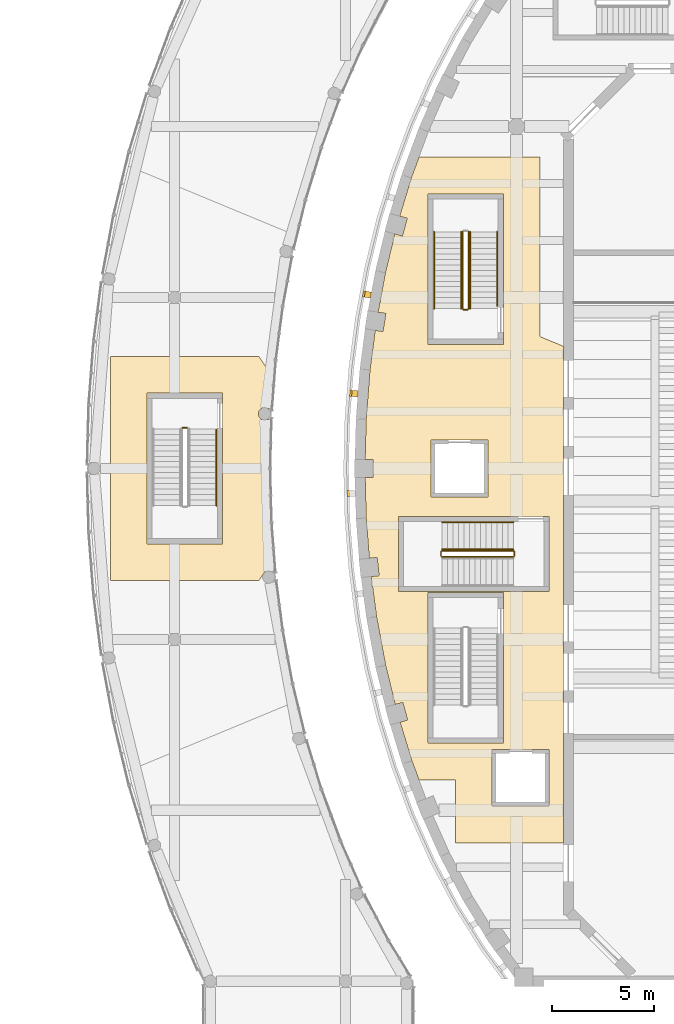
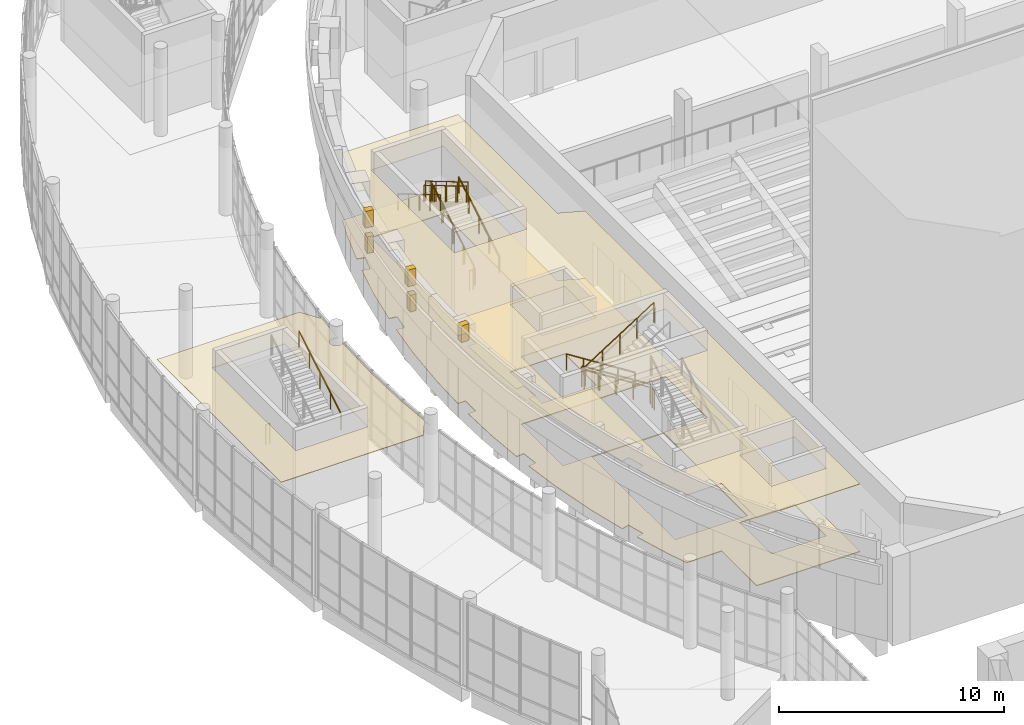
# One storey, part 100 of 119: 15 railings, 8 coverings.
"""IFC4 building model written with IfcOpenShell, lengths in metres."""

import ifcopenshell
import ifcopenshell.guid

model = None  # the IFC model being written
_history = None  # IfcOwnerHistory: only IFC2X3 demands one
_inside = {}  # id of a spatial element -> (the spatial element, [elements in it])
_under = {}  # id of a project, library or spatial element -> (it, [spatial elements below it])
_declared = {}  # id of a project -> (the project, [libraries it declares])
_typed = {}  # id of a type object -> (the type object, [elements of that type])
_made_of = {}  # id of a material, layer set ... -> (it, [elements and type objects made of it])


def new_model(schema):
    """Start an empty IFC model of exactly this schema.

    Asked for "IFC4X3", IfcOpenShell would pick the latest addendum, in which some entities
    have other attributes; the version numbers below select the first issue.
    IFC2X3 requires an IfcOwnerHistory on every rooted entity: one is made here for all.
    """
    global model, _history
    if schema == "IFC4X3":
        model = ifcopenshell.file(schema_version=(4, 3, 0, 0))
    else:
        model = ifcopenshell.file(schema=schema)
    _inside.clear()
    _under.clear()
    _declared.clear()
    _typed.clear()
    _made_of.clear()
    _history = None
    if model.schema == "IFC2X3":
        org = make("IfcOrganization", Name="unknown")
        user = make(
            "IfcPersonAndOrganization",
            ThePerson=make("IfcPerson", FamilyName="unknown"),
            TheOrganization=org,
        )
        app = make(
            "IfcApplication",
            ApplicationDeveloper=org,
            Version="unknown",
            ApplicationFullName="unknown",
            ApplicationIdentifier="unknown",
        )
        _history = make(
            "IfcOwnerHistory",
            OwningUser=user,
            OwningApplication=app,
            ChangeAction="ADDED",
            CreationDate=0,
        )
    return model


def make(cls, **values):
    """One entity of the class cls with the attributes given. An attribute that is None is left unset."""
    return model.create_entity(
        cls, **{name: value for name, value in values.items() if value is not None}
    )


def rooted(cls, **values):
    """An entity with a GlobalId (a new one), such as an element, a storey or a relation."""
    return make(cls, GlobalId=ifcopenshell.guid.new(), OwnerHistory=_history, **values)


def si_unit(unit_type, name, prefix=None):
    """IfcSIUnit, for example si_unit("LENGTHUNIT", "METRE", prefix="MILLI")."""
    return make("IfcSIUnit", UnitType=unit_type, Prefix=prefix, Name=name)


def assignment(units):
    """IfcUnitAssignment: the units of a project."""
    return None if units is None else make("IfcUnitAssignment", Units=units)


def point(xyz):
    """IfcCartesianPoint."""
    return None if xyz is None else make("IfcCartesianPoint", Coordinates=xyz)


def direction(xyz):
    """IfcDirection."""
    return None if xyz is None else make("IfcDirection", DirectionRatios=xyz)


def frame(location, z_axis=None, x_axis=None):
    """IfcAxis2Placement3D, a coordinate frame: its origin and axes. An axis left out is left unset."""
    return make(
        "IfcAxis2Placement3D",
        Location=point(location),
        Axis=direction(z_axis),
        RefDirection=direction(x_axis),
    )


def frame_2d(location, x_axis=None):
    """IfcAxis2Placement2D, a coordinate frame in the plane: its origin and x axis."""
    return make(
        "IfcAxis2Placement2D", Location=point(location), RefDirection=direction(x_axis)
    )


def origin():
    """The frame at (0, 0, 0) with its axes left unset."""
    return frame((0.0, 0.0, 0.0))


def origin_2d():
    """The frame at (0, 0) in the plane with its x axis left unset."""
    return frame_2d((0.0, 0.0))


def place(relative_to, where):
    """IfcLocalPlacement: puts the frame where relative to a parent placement (None: the world)."""
    return make(
        "IfcLocalPlacement", PlacementRelTo=relative_to, RelativePlacement=where
    )


def context(
    kind, dimensions, precision=None, world=None, true_north=None, identifier=None
):
    """IfcGeometricRepresentationContext, for example the 3D "Model" context."""
    return make(
        "IfcGeometricRepresentationContext",
        ContextIdentifier=identifier,
        ContextType=kind,
        CoordinateSpaceDimension=dimensions,
        Precision=precision,
        WorldCoordinateSystem=world,
        TrueNorth=true_north,
    )


def subcontext(parent, identifier, kind, view, scale=None):
    """IfcGeometricRepresentationSubContext, for example "Body" below "Model"."""
    return make(
        "IfcGeometricRepresentationSubContext",
        ContextIdentifier=identifier,
        ContextType=kind,
        ParentContext=parent,
        TargetScale=scale,
        TargetView=view,
    )


def project(units=None, contexts=None):
    """IfcProject with its units and contexts."""
    return rooted(
        "IfcProject",
        Name="project",
        RepresentationContexts=contexts,
        UnitsInContext=assignment(units),
    )


def spatial(cls, under=None, at=None, **own):
    """A site, building, storey or space (cls), placed at a placement, below another one or the project."""
    s = rooted(cls, ObjectPlacement=at, **own)
    if under is not None:
        _under.setdefault(under.id(), (under, []))[1].append(s)
    return s


def polyline(points):
    """IfcPolyline through the points."""
    return make("IfcPolyline", Points=[point(p) for p in points])


def profile(cls, at=None, kind="AREA", **sizes):
    """A parametric profile (cls). Its sizes go by their IFC names, for example OverallWidth=200.0."""
    return make(cls, ProfileType=kind, Position=at, **sizes)


def rectangle(**sizes):
    """IfcRectangleProfileDef."""
    return profile("IfcRectangleProfileDef", **sizes)


def circle(**sizes):
    """IfcCircleProfileDef."""
    return profile("IfcCircleProfileDef", **sizes)


def outline(outer, holes=None, kind="AREA"):
    """IfcArbitraryClosedProfileDef: a profile drawn as a closed curve; with holes, ...WithVoids."""
    if holes is None:
        return make("IfcArbitraryClosedProfileDef", ProfileType=kind, OuterCurve=outer)
    return make(
        "IfcArbitraryProfileDefWithVoids",
        ProfileType=kind,
        OuterCurve=outer,
        InnerCurves=holes,
    )


def extrude(swept, where, along, depth):
    """IfcExtrudedAreaSolid: the profile swept, set in the frame where, extruded along a direction by depth."""
    return make(
        "IfcExtrudedAreaSolid",
        SweptArea=swept,
        Position=where,
        ExtrudedDirection=direction(along),
        Depth=depth,
    )


def shape(context_of_items, identifier, shape_type, items):
    """IfcShapeRepresentation: the items that make up one representation, for example the "Body"."""
    return make(
        "IfcShapeRepresentation",
        ContextOfItems=context_of_items,
        RepresentationIdentifier=identifier,
        RepresentationType=shape_type,
        Items=items,
    )


def material(Name=None, Category=None):
    """IfcMaterial."""
    return make("IfcMaterial", Name=Name, Category=Category)


def layer(
    of_material, thickness, ventilated=None, Name=None, Category=None, Priority=None
):
    """IfcMaterialLayer: one layer of a wall or slab, of a material (None: an air gap)."""
    return make(
        "IfcMaterialLayer",
        Material=of_material,
        LayerThickness=thickness,
        IsVentilated=ventilated,
        Name=Name,
        Category=Category,
        Priority=Priority,
    )


def layer_set(layers, Name=None):
    """IfcMaterialLayerSet."""
    return make("IfcMaterialLayerSet", MaterialLayers=layers, LayerSetName=Name)


def made_of(thing, what):
    """Note that an element or type object is made of a material, layer set ...; save() writes the relation."""
    if what is not None:
        _made_of.setdefault(what.id(), (what, []))[1].append(thing)
    return thing


def type_object(cls, material=None, **own):
    """A type object (cls), such as IfcWallType, which elements share."""
    return made_of(rooted(cls, **own), material)


def element(
    cls,
    number,
    at=None,
    inside=None,
    cuts=None,
    type_object=None,
    material=None,
    context=None,
    identifier="Body",
    shape_type=None,
    held_by="IfcProductDefinitionShape",
    body=None,
    shapes=None,
    **own,
):
    """One element of the class cls, such as IfcWall. Its Tag is "e" and its number.

    at: its placement. inside: the storey or other place that contains it. cuts: it is an
    opening in that element (IfcRelVoidsElement). A single representation is given by context,
    identifier, shape_type and body (its items); several are given by shapes. held_by: the class
    of the entity that holds the representations. save() writes the other relations.
    """
    e = rooted(cls, Tag="e%d" % number, ObjectPlacement=at, **own)
    if body is not None:
        shapes = [shape(context, identifier, shape_type, body)]
    if shapes is not None:
        e.Representation = make(held_by, Representations=shapes)
    if inside is not None:
        _inside.setdefault(inside.id(), (inside, []))[1].append(e)
    if cuts is not None:
        rooted(
            "IfcRelVoidsElement", RelatingBuildingElement=cuts, RelatedOpeningElement=e
        )
    if type_object is not None:
        _typed.setdefault(type_object.id(), (type_object, []))[1].append(e)
    return made_of(e, material)


def aggregate(whole, parts):
    """IfcRelAggregates: a whole, such as a stair, and the parts it consists of."""
    return rooted("IfcRelAggregates", RelatingObject=whole, RelatedObjects=parts)


def save(model, path):
    """Write the relations noted so far, then the file.

    IfcRelAggregates (storeys below a building ...), IfcRelContainedInSpatialStructure (elements
    in a storey), IfcRelDefinesByType, IfcRelAssociatesMaterial and IfcRelDeclares: one each for
    every whole, place, type object, material and project.
    """
    for whole, parts in _under.values():
        aggregate(whole, parts)
    for where, things in _inside.values():
        rooted(
            "IfcRelContainedInSpatialStructure",
            RelatedElements=things,
            RelatingStructure=where,
        )
    for kind, things in _typed.values():
        rooted("IfcRelDefinesByType", RelatedObjects=things, RelatingType=kind)
    for what, things in _made_of.values():
        rooted("IfcRelAssociatesMaterial", RelatedObjects=things, RelatingMaterial=what)
    for by, libraries in _declared.values():
        rooted("IfcRelDeclares", RelatingContext=by, RelatedDefinitions=libraries)
    model.write(path)


model = new_model("IFC4")

# Units and contexts
model_context = context("Model", 3, precision=1e-05, world=origin(), true_north=direction((0.0, 1.0)))
body_context = subcontext(model_context, "Body", "Model", "MODEL_VIEW")
ifc_project = project(units=[si_unit("LENGTHUNIT", "METRE"), si_unit("AREAUNIT", "SQUARE_METRE"), si_unit("VOLUMEUNIT", "CUBIC_METRE"), si_unit("PLANEANGLEUNIT", "RADIAN"), si_unit("MASSUNIT", "GRAM", prefix="KILO")], contexts=[model_context])

# Site, building, storey
site_placement = place(None, origin())
site = spatial("IfcSite", under=ifc_project, at=site_placement, CompositionType="ELEMENT")
building_placement = place(site_placement, origin())
building = spatial("IfcBuilding", under=site, at=building_placement, Name="Larchfold Concert Hall", CompositionType="ELEMENT")
storey_placement = place(building_placement, frame((0.0, 0.0, 4.800048828125)))
storey = spatial("IfcBuildingStorey", under=building, at=storey_placement, Name="L01", CompositionType="ELEMENT", Elevation=4.800048828125)

# Coverings
ifc_material_1 = material(Name="Plasterboard ceiling lining")
ifc_layer_1 = layer(ifc_material_1, 0.030029296875)
ifc_layer_set_1 = layer_set([ifc_layer_1], Name="Plasterboard ceiling lining")
covering_type_1 = type_object("IfcCoveringType", Name="Ceiling suspended plasterboard 30", PredefinedType="CEILING", material=ifc_layer_set_1)
covering_1_placement = place(storey_placement, frame((0.0, 0.0, 3.669921875)))
element("IfcCovering", 1, at=covering_1_placement, inside=storey, type_object=covering_type_1, Name="Ceiling Hall Foyer West", PredefinedType="CEILING", context=body_context, shape_type="SweptSolid", body=[
    extrude(outline(polyline([(18.413330078125, 82.164794921875), (18.568359375, 80.18505859375), (18.954345703125, 80.225341796875), (19.048095703125, 79.330322265625), (18.662109375, 79.289794921875), (18.92138671875, 77.321533203125), (19.36767578125, 74.9306640625), (19.839599609375, 72.99951171875), (20.212890625, 73.101806640625), (20.451171875, 72.234130859375), (20.078125, 72.131591796875), (20.658447265625, 70.23486328125), (21.005859375, 69.301025390625), (22.7919921875, 69.301025390625), (22.79931640625, 69.296630859375), (22.801025390625, 66.200927734375), (28.10009765625, 66.200927734375), (28.10009765625, 90.60595703125), (26.954833984375, 91.08056640625), (26.948974609375, 91.088623046875), (26.948974609375, 99.899169921875), (21.006103515625, 99.899169921875), (20.629638671875, 98.88037109375), (20.057373046875, 96.996337890625), (20.4306640625, 96.89453125), (20.19384765625, 96.0263671875), (19.8203125, 96.128173828125), (19.355712890625, 94.21435546875), (18.996337890625, 92.276611328125), (19.37939453125, 92.216064453125), (19.239013671875, 91.3271484375), (18.85595703125, 91.3876953125), (18.600341796875, 89.433837890625), (18.41259765625, 87.020263671875), (18.36181640625, 85.050048828125), (18.75, 85.050048828125), (18.75, 84.150146484375), (18.36181640625, 84.150146484375), (18.413330078125, 82.164794921875)]), holes=[polyline([(20.0, 78.550048828125), (20.0, 82.25), (27.39990234375, 82.25), (27.39990234375, 78.550048828125), (20.0, 78.550048828125)]), polyline([(24.60009765625, 68.0), (24.60009765625, 70.800048828125), (27.39990234375, 70.800048828125), (27.39990234375, 68.0), (24.60009765625, 68.0)]), polyline([(21.449951171875, 71.10009765625), (21.449951171875, 78.5), (25.14990234375, 78.5), (25.14990234375, 71.10009765625), (21.449951171875, 71.10009765625)]), polyline([(21.449951171875, 90.699951171875), (21.449951171875, 98.10009765625), (25.14990234375, 98.10009765625), (25.14990234375, 90.699951171875), (21.449951171875, 90.699951171875)]), polyline([(21.60009765625, 83.199951171875), (21.60009765625, 86.0), (24.39990234375, 86.0), (24.39990234375, 83.199951171875), (21.60009765625, 83.199951171875)])]), origin(), (0.0, 0.0, 1.0), 0.030029296875),
])
covering_2_placement = place(storey_placement, frame((0.0, 0.0, 3.719970703125)))
element("IfcCovering", 2, at=covering_2_placement, inside=storey, type_object=covering_type_1, Name="Ceiling Foyer 06", PredefinedType="CEILING", context=body_context, shape_type="SweptSolid", body=[
    extrude(outline(polyline([(13.149169921875, 90.09912109375), (5.850830078125, 90.09912109375), (5.850830078125, 79.100830078125), (13.149169921875, 79.100830078125), (13.732177734375, 79.980712890625), (13.77685546875, 79.66796875), (13.79345703125, 79.669677734375), (13.617431640625, 81.93115234375), (13.548583984375, 84.60009765625), (13.612060546875, 87.06005859375), (13.53271484375, 87.010986328125), (13.45703125, 86.99072265625), (13.37890625, 86.99072265625), (13.30322265625, 87.010986328125), (13.2353515625, 87.050048828125), (13.179931640625, 87.10546875), (13.158203125, 87.13818359375), (13.128173828125, 87.21044921875), (13.117919921875, 87.2880859375), (13.128173828125, 87.36572265625), (13.158203125, 87.43798828125), (13.179931640625, 87.470703125), (13.2353515625, 87.526123046875), (13.30322265625, 87.565185546875), (13.37890625, 87.58544921875), (13.45703125, 87.58544921875), (13.49560546875, 87.577880859375), (13.56787109375, 87.5478515625), (13.635009765625, 87.49462890625), (13.79345703125, 89.5302734375), (13.77685546875, 89.5322265625), (13.732177734375, 89.219482421875), (13.149169921875, 90.09912109375)]), holes=[polyline([(7.64990234375, 88.300048828125), (11.35009765625, 88.300048828125), (11.35009765625, 80.89990234375), (7.64990234375, 80.89990234375), (7.64990234375, 88.300048828125)])]), origin(), (0.0, 0.0, 1.0), 0.030029296875),
])
ifc_material_2 = material(Name="Polished terrazzo")
ifc_layer_2 = layer(ifc_material_2, 0.0400390625)
ifc_layer_set_2 = layer_set([ifc_layer_2], Name="Polished terrazzo")
covering_type_2 = type_object("IfcCoveringType", Name="Floor finish terrazzo 40", PredefinedType="FLOORING", material=ifc_layer_set_2)
covering_3_placement = place(storey_placement, origin())
element("IfcCovering", 3, at=covering_3_placement, inside=storey, type_object=covering_type_2, Name="Floor finish Hall Foyer West", PredefinedType="FLOORING", context=body_context, shape_type="SweptSolid", body=[
    extrude(outline(polyline([(18.413330078125, 82.164794921875), (18.568359375, 80.18505859375), (18.954345703125, 80.225341796875), (19.048095703125, 79.330322265625), (18.662109375, 79.289794921875), (18.92138671875, 77.321533203125), (19.36767578125, 74.9306640625), (19.839599609375, 72.99951171875), (20.212890625, 73.101806640625), (20.451171875, 72.234130859375), (20.078125, 72.131591796875), (20.658447265625, 70.23486328125), (21.005859375, 69.301025390625), (22.7919921875, 69.301025390625), (22.79931640625, 69.296630859375), (22.801025390625, 66.200927734375), (28.10009765625, 66.200927734375), (28.10009765625, 90.60595703125), (26.954833984375, 91.08056640625), (26.948974609375, 91.088623046875), (26.948974609375, 99.899169921875), (21.006103515625, 99.899169921875), (20.629638671875, 98.88037109375), (20.057373046875, 96.996337890625), (20.4306640625, 96.89453125), (20.19384765625, 96.0263671875), (19.8203125, 96.128173828125), (19.355712890625, 94.21435546875), (18.996337890625, 92.276611328125), (19.37939453125, 92.216064453125), (19.239013671875, 91.3271484375), (18.85595703125, 91.3876953125), (18.600341796875, 89.433837890625), (18.41259765625, 87.020263671875), (18.36181640625, 85.050048828125), (18.75, 85.050048828125), (18.75, 84.150146484375), (18.36181640625, 84.150146484375), (18.413330078125, 82.164794921875)]), holes=[polyline([(20.0, 78.550048828125), (20.0, 82.25), (27.39990234375, 82.25), (27.39990234375, 78.550048828125), (20.0, 78.550048828125)]), polyline([(24.60009765625, 68.0), (24.60009765625, 70.800048828125), (27.39990234375, 70.800048828125), (27.39990234375, 68.0), (24.60009765625, 68.0)]), polyline([(21.449951171875, 71.10009765625), (21.449951171875, 78.5), (25.14990234375, 78.5), (25.14990234375, 71.10009765625), (21.449951171875, 71.10009765625)]), polyline([(21.449951171875, 90.699951171875), (21.449951171875, 98.10009765625), (25.14990234375, 98.10009765625), (25.14990234375, 90.699951171875), (21.449951171875, 90.699951171875)]), polyline([(21.60009765625, 83.199951171875), (21.60009765625, 86.0), (24.39990234375, 86.0), (24.39990234375, 83.199951171875), (21.60009765625, 83.199951171875)])]), origin(), (0.0, 0.0, 1.0), 0.0400390625),
])
ifc_material_3 = material(Name="Galvanised steel bracket", Category="steel")
ifc_layer_3 = layer(ifc_material_3, 0.300048828125)
ifc_layer_set_3 = layer_set([ifc_layer_3], Name="Galvanised steel bracket")
covering_type_3 = type_object("IfcCoveringType", Name="Ring support bracket", PredefinedType="CLADDING", material=ifc_layer_set_3)
for number, where, z_axis, x_axis, name in (
    (4, (18.495849609375, 93.142578125, 3.35009765625), (0.0, 0.0, 1.0), (-0.983231690727, 0.182360747833, 0.0), "Ring bracket BR-R01-18"),
    (5, (17.8583984375, 88.277587890625, 3.35009765625), (0.0, 0.0, 1.0), (-0.996990162785, 0.077528158171, 0.0), "Ring bracket BR-R01-19"),
):
    element("IfcCovering", number, at=place(storey_placement, frame(where, z_axis=z_axis, x_axis=x_axis)), inside=storey, type_object=covering_type_3, Name=name, PredefinedType="CLADDING", context=body_context, shape_type="SweptSolid", body=[
        extrude(rectangle(XDim=0.300048828125, YDim=0.300048828125, at=origin_2d()), origin(), (0.0, 0.0, 1.0), 0.89990234375),
    ])
for number, where, z_axis, x_axis, name in (
    (6, (18.44677734375, 93.151611328125, 4.75), (0.0, 0.0, 1.0), (-0.983231690727, 0.182360747833, 0.0), "Ring bracket BR-R02-18"),
    (7, (17.80859375, 88.281494140625, 4.75), (0.0, 0.0, 1.0), (-0.996990162785, 0.077528158171, 0.0), "Ring bracket BR-R02-19"),
    (8, (17.68212890625, 83.3642578125, 4.75), (0.0, 0.0, 1.0), (-0.999665014874, -0.025881615792, 0.0), "Ring bracket BR-R02-20"),
):
    element("IfcCovering", number, at=place(storey_placement, frame(where, z_axis=z_axis, x_axis=x_axis)), inside=storey, type_object=covering_type_3, Name=name, PredefinedType="CLADDING", context=body_context, shape_type="SweptSolid", body=[
        extrude(rectangle(XDim=0.39990234375, YDim=0.300048828125, at=origin_2d()), origin(), (0.0, 0.0, 1.0), 0.89990234375),
    ])

# Railings
ifc_material_4 = material(Name="Stainless steel balustrade", Category="steel")
railing_type_1 = type_object("IfcRailingType", Name="Stair guard 1100", PredefinedType="GUARDRAIL", material=ifc_material_4)
railing_1_placement = place(storey_placement, frame((23.449951171875, 92.449951171875, 0.159912109375)))
element("IfcRailing", 9, at=railing_1_placement, inside=storey, type_object=railing_type_1, Name="Guard GR0015", PredefinedType="GUARDRAIL", context=body_context, shape_type="SweptSolid", body=[
    extrude(circle(Radius=0.02392578125, at=origin_2d()), frame((0.0, 0.0, 1.076171875), z_axis=(0.0, 0.860294241299, 0.509797821089), x_axis=(-1.0, 0.0, 0.0)), (0.0, 0.0, 1.0), 4.393798828125),
    extrude(circle(Radius=0.02099609375, at=origin_2d()), origin(), (0.0, 0.0, 1.0), 1.052001953125),
    extrude(circle(Radius=0.02099609375, at=origin_2d()), frame((0.0, 0.945068359375, 0.56005859375)), (0.0, 0.0, 1.0), 1.052001953125),
    extrude(circle(Radius=0.02099609375, at=origin_2d()), frame((0.0, 1.89013671875, 1.1201171875)), (0.0, 0.0, 1.0), 1.052001953125),
    extrude(circle(Radius=0.02099609375, at=origin_2d()), frame((0.0, 2.8349609375, 1.679931640625)), (0.0, 0.0, 1.0), 1.052001953125),
    extrude(circle(Radius=0.02099609375, at=origin_2d()), frame((0.0, 3.780029296875, 2.239990234375)), (0.0, 0.0, 1.0), 1.052001953125),
])
railing_2_placement = place(storey_placement, frame((23.14990234375, 96.22998046875, 2.56005859375)))
element("IfcRailing", 10, at=railing_2_placement, inside=storey, type_object=railing_type_1, Name="Guard GR0017", PredefinedType="GUARDRAIL", context=body_context, shape_type="SweptSolid", body=[
    extrude(circle(Radius=0.02392578125, at=origin_2d()), frame((0.0, 0.0, 1.076171875), z_axis=(0.0, -0.860294241299, 0.509797821089), x_axis=(1.0, 0.0, 0.0)), (0.0, 0.0, 1.0), 4.393798828125),
    extrude(circle(Radius=0.02099609375, at=origin_2d()), origin(), (0.0, 0.0, 1.0), 1.052001953125),
    extrude(circle(Radius=0.02099609375, at=origin_2d()), frame((0.0, -0.945068359375, 0.56005859375)), (0.0, 0.0, 1.0), 1.052001953125),
    extrude(circle(Radius=0.02099609375, at=origin_2d()), frame((0.0, -1.89013671875, 1.1201171875)), (0.0, 0.0, 1.0), 1.052001953125),
    extrude(circle(Radius=0.02099609375, at=origin_2d()), frame((0.0, -2.8349609375, 1.679931640625)), (0.0, 0.0, 1.0), 1.052001953125),
    extrude(circle(Radius=0.02099609375, at=origin_2d()), frame((0.0, -3.780029296875, 2.239990234375)), (0.0, 0.0, 1.0), 1.052001953125),
])
railing_3_placement = place(storey_placement, frame((23.39990234375, 92.39990234375, 0.0)))
element("IfcRailing", 11, at=railing_3_placement, inside=storey, type_object=railing_type_1, Name="Guard GR0018", PredefinedType="GUARDRAIL", context=body_context, shape_type="SweptSolid", body=[
    extrude(circle(Radius=0.02392578125, at=origin_2d()), frame((0.0, 0.0, 1.076171875), z_axis=(-1.0, 0.0, 0.0), x_axis=(0.0, -1.0, 0.0)), (0.0, 0.0, 1.0), 0.199951171875),
    extrude(circle(Radius=0.02099609375, at=origin_2d()), origin(), (0.0, 0.0, 1.0), 1.052001953125),
    extrude(circle(Radius=0.02099609375, at=origin_2d()), frame((-0.199951171875, 0.0, 0.0)), (0.0, 0.0, 1.0), 1.052001953125),
])
railing_4_placement = place(storey_placement, frame((25.64990234375, 80.550048828125, 0.17138671875)))
element("IfcRailing", 12, at=railing_4_placement, inside=storey, type_object=railing_type_1, Name="Guard GR0027", PredefinedType="GUARDRAIL", context=body_context, shape_type="SweptSolid", body=[
    extrude(circle(Radius=0.02392578125, at=origin_2d()), frame((0.0, 0.0, 1.076171875), z_axis=(-0.844219563411, 0.0, 0.53599750816), x_axis=(0.0, -1.0, 0.0)), (0.0, 0.0, 1.0), 4.15771484375),
    extrude(circle(Radius=0.02099609375, at=origin_2d()), origin(), (0.0, 0.0, 1.0), 1.052001953125),
    extrude(circle(Radius=0.02099609375, at=origin_2d()), frame((-0.87744140625, 0.0, 0.55712890625)), (0.0, 0.0, 1.0), 1.052001953125),
    extrude(circle(Radius=0.02099609375, at=origin_2d()), frame((-1.7548828125, 0.0, 1.1142578125)), (0.0, 0.0, 1.0), 1.052001953125),
    extrude(circle(Radius=0.02099609375, at=origin_2d()), frame((-2.632568359375, 0.0, 1.67138671875)), (0.0, 0.0, 1.0), 1.052001953125),
    extrude(circle(Radius=0.02099609375, at=origin_2d()), frame((-3.510009765625, 0.0, 2.228515625)), (0.0, 0.0, 1.0), 1.052001953125),
])
railing_5_placement = place(storey_placement, frame((22.08984375, 80.5, 2.39990234375)))
element("IfcRailing", 13, at=railing_5_placement, inside=storey, type_object=railing_type_1, Name="Guard GR0028", PredefinedType="GUARDRAIL", context=body_context, shape_type="SweptSolid", body=[
    extrude(circle(Radius=0.02392578125, at=origin_2d()), frame((0.0, 0.0, 1.076171875), z_axis=(0.0, -1.0, 0.0), x_axis=(1.0, 0.0, 0.0)), (0.0, 0.0, 1.0), 0.199951171875),
    extrude(circle(Radius=0.02099609375, at=origin_2d()), origin(), (0.0, 0.0, 1.0), 1.052001953125),
    extrude(circle(Radius=0.02099609375, at=origin_2d()), frame((0.0, -0.199951171875, 0.0)), (0.0, 0.0, 1.0), 1.052001953125),
])
railing_6_placement = place(storey_placement, frame((22.139892578125, 80.25, 2.5712890625)))
element("IfcRailing", 14, at=railing_6_placement, inside=storey, type_object=railing_type_1, Name="Guard GR0029", PredefinedType="GUARDRAIL", context=body_context, shape_type="SweptSolid", body=[
    extrude(circle(Radius=0.02392578125, at=origin_2d()), frame((0.0, 0.0, 1.076171875), z_axis=(0.844192992368, 0.0, 0.536039356425), x_axis=(0.0, 1.0, 0.0)), (0.0, 0.0, 1.0), 4.15771484375),
    extrude(circle(Radius=0.02099609375, at=origin_2d()), origin(), (0.0, 0.0, 1.0), 1.052001953125),
    extrude(circle(Radius=0.02099609375, at=origin_2d()), frame((0.87744140625, 0.0, 0.55712890625)), (0.0, 0.0, 1.0), 1.052001953125),
    extrude(circle(Radius=0.02099609375, at=origin_2d()), frame((1.7548828125, 0.0, 1.1142578125)), (0.0, 0.0, 1.0), 1.052001953125),
    extrude(circle(Radius=0.02099609375, at=origin_2d()), frame((2.632568359375, 0.0, 1.671630859375)), (0.0, 0.0, 1.0), 1.052001953125),
    extrude(circle(Radius=0.02099609375, at=origin_2d()), frame((3.510009765625, 0.0, 2.228759765625)), (0.0, 0.0, 1.0), 1.052001953125),
])
railing_7_placement = place(storey_placement, frame((25.699951171875, 80.5, 0.0)))
element("IfcRailing", 15, at=railing_7_placement, inside=storey, type_object=railing_type_1, Name="Guard GR0030", PredefinedType="GUARDRAIL", context=body_context, shape_type="SweptSolid", body=[
    extrude(circle(Radius=0.02392578125, at=origin_2d()), frame((0.0, 0.0, 1.076171875), z_axis=(0.0, -1.0, 0.0), x_axis=(1.0, 0.0, 0.0)), (0.0, 0.0, 1.0), 0.199951171875),
    extrude(circle(Radius=0.02099609375, at=origin_2d()), origin(), (0.0, 0.0, 1.0), 1.052001953125),
    extrude(circle(Radius=0.02099609375, at=origin_2d()), frame((0.0, -0.199951171875, 0.0)), (0.0, 0.0, 1.0), 1.052001953125),
])
railing_8_placement = place(storey_placement, frame((9.39990234375, 86.60009765625, 0.0)))
element("IfcRailing", 16, at=railing_8_placement, inside=storey, type_object=railing_type_1, Name="Guard GR0092", PredefinedType="GUARDRAIL", context=body_context, shape_type="SweptSolid", body=[
    extrude(circle(Radius=0.02392578125, at=origin_2d()), frame((0.0, 0.0, 1.076171875), z_axis=(1.0, 0.0, 0.0), x_axis=(0.0, 1.0, 0.0)), (0.0, 0.0, 1.0), 0.199951171875),
    extrude(circle(Radius=0.02099609375, at=origin_2d()), origin(), (0.0, 0.0, 1.0), 1.052001953125),
    extrude(circle(Radius=0.02099609375, at=origin_2d()), frame((0.199951171875, 0.0, 0.0)), (0.0, 0.0, 1.0), 1.052001953125),
])
ifc_material_5 = material(Name="Stainless steel handrail", Category="steel")
railing_type_2 = type_object("IfcRailingType", Name="Stair handrail 900", PredefinedType="HANDRAIL", material=ifc_material_5)
railing_9_placement = place(storey_placement, frame((24.849853515625, 92.60009765625, 0.248779296875)))
element("IfcRailing", 17, at=railing_9_placement, inside=storey, type_object=railing_type_2, Name="Handrail HR0013", PredefinedType="HANDRAIL", context=body_context, shape_type="SweptSolid", body=[
    extrude(circle(Radius=0.02392578125, at=origin_2d()), frame((0.0, 0.0, 0.8759765625), z_axis=(0.0, 0.860283074592, 0.509816664665), x_axis=(-1.0, 0.0, 0.0)), (0.0, 0.0, 1.0), 4.219482421875),
    extrude(circle(Radius=0.02099609375, at=origin_2d()), origin(), (0.0, 0.0, 1.0), 0.851806640625),
    extrude(circle(Radius=0.02099609375, at=origin_2d()), frame((0.0, 0.907470703125, 0.537841796875)), (0.0, 0.0, 1.0), 0.851806640625),
    extrude(circle(Radius=0.02099609375, at=origin_2d()), frame((0.0, 1.81494140625, 1.07568359375)), (0.0, 0.0, 1.0), 0.851806640625),
    extrude(circle(Radius=0.02099609375, at=origin_2d()), frame((0.0, 2.722412109375, 1.61328125)), (0.0, 0.0, 1.0), 0.851806640625),
    extrude(circle(Radius=0.02099609375, at=origin_2d()), frame((0.0, 3.6298828125, 2.151123046875)), (0.0, 0.0, 1.0), 0.851806640625),
])
railing_10_placement = place(storey_placement, frame((21.75, 96.22998046875, 2.56005859375)))
element("IfcRailing", 18, at=railing_10_placement, inside=storey, type_object=railing_type_2, Name="Handrail HR0014", PredefinedType="HANDRAIL", context=body_context, shape_type="SweptSolid", body=[
    extrude(circle(Radius=0.02392578125, at=origin_2d()), frame((0.0, 0.0, 0.8759765625), z_axis=(0.0, -0.860294241299, 0.509797821089), x_axis=(1.0, 0.0, 0.0)), (0.0, 0.0, 1.0), 4.393798828125),
    extrude(circle(Radius=0.02099609375, at=origin_2d()), origin(), (0.0, 0.0, 1.0), 0.851806640625),
    extrude(circle(Radius=0.02099609375, at=origin_2d()), frame((0.0, -0.945068359375, 0.56005859375)), (0.0, 0.0, 1.0), 0.851806640625),
    extrude(circle(Radius=0.02099609375, at=origin_2d()), frame((0.0, -1.89013671875, 1.1201171875)), (0.0, 0.0, 1.0), 0.851806640625),
    extrude(circle(Radius=0.02099609375, at=origin_2d()), frame((0.0, -2.8349609375, 1.679931640625)), (0.0, 0.0, 1.0), 0.851806640625),
    extrude(circle(Radius=0.02099609375, at=origin_2d()), frame((0.0, -3.780029296875, 2.239990234375)), (0.0, 0.0, 1.0), 0.851806640625),
])
railing_11_placement = place(storey_placement, frame((23.52001953125, 92.449951171875, 0.159912109375)))
element("IfcRailing", 19, at=railing_11_placement, inside=storey, type_object=railing_type_2, Name="Handrail HR0015", PredefinedType="HANDRAIL", context=body_context, shape_type="SweptSolid", body=[
    extrude(circle(Radius=0.02392578125, at=origin_2d()), frame((0.0, 0.0, 0.8759765625), z_axis=(0.0, 0.860294241299, 0.509797821089), x_axis=(-1.0, 0.0, 0.0)), (0.0, 0.0, 1.0), 4.393798828125),
    extrude(circle(Radius=0.02099609375, at=origin_2d()), origin(), (0.0, 0.0, 1.0), 0.851806640625),
    extrude(circle(Radius=0.02099609375, at=origin_2d()), frame((0.0, 0.945068359375, 0.56005859375)), (0.0, 0.0, 1.0), 0.851806640625),
    extrude(circle(Radius=0.02099609375, at=origin_2d()), frame((0.0, 1.89013671875, 1.1201171875)), (0.0, 0.0, 1.0), 0.851806640625),
    extrude(circle(Radius=0.02099609375, at=origin_2d()), frame((0.0, 2.8349609375, 1.679931640625)), (0.0, 0.0, 1.0), 0.851806640625),
    extrude(circle(Radius=0.02099609375, at=origin_2d()), frame((0.0, 3.780029296875, 2.239990234375)), (0.0, 0.0, 1.0), 0.851806640625),
])
railing_12_placement = place(storey_placement, frame((23.079833984375, 96.22998046875, 2.56005859375)))
element("IfcRailing", 20, at=railing_12_placement, inside=storey, type_object=railing_type_2, Name="Handrail HR0016", PredefinedType="HANDRAIL", context=body_context, shape_type="SweptSolid", body=[
    extrude(circle(Radius=0.02392578125, at=origin_2d()), frame((0.0, 0.0, 0.8759765625), z_axis=(0.0, -0.860294241299, 0.509797821089), x_axis=(1.0, 0.0, 0.0)), (0.0, 0.0, 1.0), 4.393798828125),
    extrude(circle(Radius=0.02099609375, at=origin_2d()), origin(), (0.0, 0.0, 1.0), 0.851806640625),
    extrude(circle(Radius=0.02099609375, at=origin_2d()), frame((0.0, -0.945068359375, 0.56005859375)), (0.0, 0.0, 1.0), 0.851806640625),
    extrude(circle(Radius=0.02099609375, at=origin_2d()), frame((0.0, -1.89013671875, 1.1201171875)), (0.0, 0.0, 1.0), 0.851806640625),
    extrude(circle(Radius=0.02099609375, at=origin_2d()), frame((0.0, -2.8349609375, 1.679931640625)), (0.0, 0.0, 1.0), 0.851806640625),
    extrude(circle(Radius=0.02099609375, at=origin_2d()), frame((0.0, -3.780029296875, 2.239990234375)), (0.0, 0.0, 1.0), 0.851806640625),
])
for number, where, name in (
    (21, (25.64990234375, 81.949951171875, 0.17138671875), "Handrail HR0025"),
    (22, (25.64990234375, 80.6201171875, 0.17138671875), "Handrail HR0027"),
):
    element("IfcRailing", number, at=place(storey_placement, frame(where)), inside=storey, type_object=railing_type_2, Name=name, PredefinedType="HANDRAIL", context=body_context, shape_type="SweptSolid", body=[
        extrude(circle(Radius=0.02392578125, at=origin_2d()), frame((0.0, 0.0, 0.8759765625), z_axis=(-0.844219563411, 0.0, 0.53599750816), x_axis=(0.0, -1.0, 0.0)), (0.0, 0.0, 1.0), 4.15771484375),
        extrude(circle(Radius=0.02099609375, at=origin_2d()), origin(), (0.0, 0.0, 1.0), 0.851806640625),
        extrude(circle(Radius=0.02099609375, at=origin_2d()), frame((-0.87744140625, 0.0, 0.55712890625)), (0.0, 0.0, 1.0), 0.851806640625),
        extrude(circle(Radius=0.02099609375, at=origin_2d()), frame((-1.7548828125, 0.0, 1.1142578125)), (0.0, 0.0, 1.0), 0.851806640625),
        extrude(circle(Radius=0.02099609375, at=origin_2d()), frame((-2.632568359375, 0.0, 1.67138671875)), (0.0, 0.0, 1.0), 0.851806640625),
        extrude(circle(Radius=0.02099609375, at=origin_2d()), frame((-3.510009765625, 0.0, 2.228515625)), (0.0, 0.0, 1.0), 0.851806640625),
    ])
railing_13_placement = place(storey_placement, frame((11.0498046875, 82.77001953125, 2.56005859375)))
element("IfcRailing", 23, at=railing_13_placement, inside=storey, type_object=railing_type_2, Name="Handrail HR0086", PredefinedType="HANDRAIL", context=body_context, shape_type="SweptSolid", body=[
    extrude(circle(Radius=0.02392578125, at=origin_2d()), frame((0.0, 0.0, 0.8759765625), z_axis=(0.0, 0.86030708285, 0.509776150088), x_axis=(-1.0, 0.0, 0.0)), (0.0, 0.0, 1.0), 4.335693359375),
    extrude(circle(Radius=0.02099609375, at=origin_2d()), origin(), (0.0, 0.0, 1.0), 0.851806640625),
    extrude(circle(Radius=0.02099609375, at=origin_2d()), frame((0.0, 0.9326171875, 0.552490234375)), (0.0, 0.0, 1.0), 0.851806640625),
    extrude(circle(Radius=0.02099609375, at=origin_2d()), frame((0.0, 1.864990234375, 1.10498046875)), (0.0, 0.0, 1.0), 0.851806640625),
    extrude(circle(Radius=0.02099609375, at=origin_2d()), frame((0.0, 2.79736328125, 1.65771484375)), (0.0, 0.0, 1.0), 0.851806640625),
    extrude(circle(Radius=0.02099609375, at=origin_2d()), frame((0.0, 3.72998046875, 2.210205078125)), (0.0, 0.0, 1.0), 0.851806640625),
])

save(model, "model.ifc")
